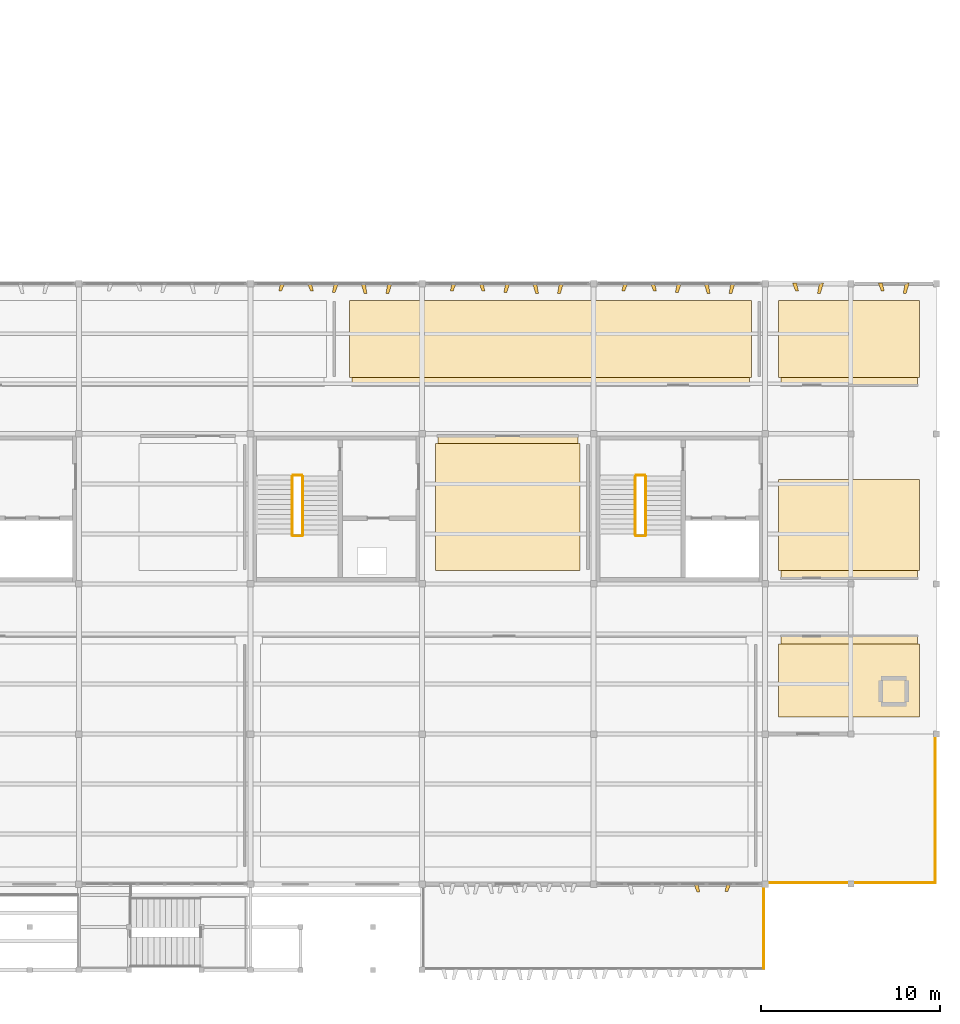
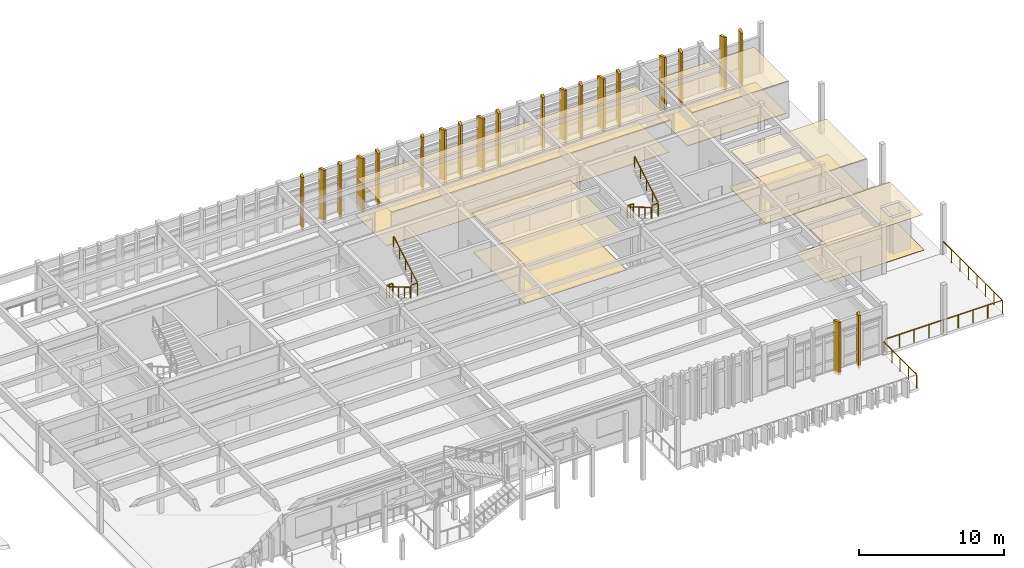
# One storey, part 18 of 18: 31 coverings, 11 railings.
"""IFC4 building model written with IfcOpenShell, lengths in metres."""

from ifc_helpers import new_model, si_unit, direction, frame, origin, origin_2d, place, context, subcontext, project, spatial, polyline, circle, outline, extrude, material, layer, layer_set, type_object, element, save


model = new_model("IFC4")

# Units and contexts
model_context = context("Model", 3, precision=1e-05, world=origin(), true_north=direction((0.0, 1.0)))
body_context = subcontext(model_context, "Body", "Model", "MODEL_VIEW")
ifc_project = project(units=[si_unit("LENGTHUNIT", "METRE"), si_unit("AREAUNIT", "SQUARE_METRE"), si_unit("VOLUMEUNIT", "CUBIC_METRE"), si_unit("PLANEANGLEUNIT", "RADIAN"), si_unit("MASSUNIT", "GRAM", prefix="KILO")], contexts=[model_context])

# Site, building, storey
site_placement = place(None, origin())
site = spatial("IfcSite", under=ifc_project, at=site_placement, CompositionType="ELEMENT")
building_placement = place(site_placement, origin())
building = spatial("IfcBuilding", under=site, at=building_placement, Name="Kolvemor Railside Polytechnic", CompositionType="ELEMENT")
storey_placement = place(building_placement, frame((0.0, 0.0, 18.60009765625)))
storey = spatial("IfcBuildingStorey", under=building, at=storey_placement, Name="L04", CompositionType="ELEMENT", Elevation=18.60009765625)

# Coverings
ifc_material_1 = material(Name="Perforated acoustic mineral-fibre and timber-slat ceiling", Category="wood")
ifc_layer_1 = layer(ifc_material_1, 0.02490234375, Name="COV-CEIL-1")
ifc_layer_set_1 = layer_set([ifc_layer_1], Name="Perforated acoustic mineral-fibre and timber-slat ceiling")
covering_type_1 = type_object("IfcCoveringType", Name="COV-CEIL-1", PredefinedType="CEILING", material=ifc_layer_set_1)
covering_1_placement = place(storey_placement, frame((0.0, 0.0, 3.02490234375)))
element("IfcCovering", 1, at=covering_1_placement, inside=storey, type_object=covering_type_1, Name="Renewable Desalination Research Laboratory Acoustic Ceiling", PredefinedType="CEILING", context=body_context, shape_type="SweptSolid", body=[
    extrude(outline(polyline([(96.8798828125, 22.35009765625), (104.719970703125, 22.35009765625), (104.719970703125, 29.8798828125), (96.8798828125, 29.8798828125), (96.8798828125, 22.35009765625)])), origin(), (0.0, 0.0, 1.0), 0.02490234375),
])
ifc_material_2 = material(Name="Perforated acoustic mineral-fibre and timber-slat ceiling", Category="wood")
ifc_layer_2 = layer(ifc_material_2, 0.030029296875, Name="COV-CEIL-2")
ifc_layer_set_2 = layer_set([ifc_layer_2], Name="Perforated acoustic mineral-fibre and timber-slat ceiling")
covering_type_2 = type_object("IfcCoveringType", Name="COV-CEIL-2", PredefinedType="CEILING", material=ifc_layer_set_2)
covering_2_placement = place(storey_placement, frame((0.0, 0.0, 3.02001953125)))
element("IfcCovering", 2, at=covering_2_placement, inside=storey, type_object=covering_type_2, Name="Main Stack Public WC L04 Acoustic Ceiling", PredefinedType="CEILING", context=body_context, shape_type="SweptSolid", body=[
    extrude(outline(polyline([(116.080078125, 14.14990234375), (123.719970703125, 14.14990234375), (123.719970703125, 18.679931640625), (116.080078125, 18.679931640625), (116.080078125, 14.14990234375)])), origin(), (0.0, 0.0, 1.0), 0.02978515625),
])
covering_3_placement = place(storey_placement, frame((0.0, 0.0, 3.02001953125)))
element("IfcCovering", 3, at=covering_3_placement, inside=storey, type_object=covering_type_2, Name="Capstone Interdisciplinary Design Studio Acoustic Ceiling", PredefinedType="CEILING", context=body_context, shape_type="SweptSolid", body=[
    extrude(outline(polyline([(92.080078125, 32.719970703125), (114.320068359375, 32.719970703125), (114.320068359375, 37.449951171875), (92.080078125, 37.449951171875), (92.080078125, 32.719970703125)])), origin(), (0.0, 0.0, 1.0), 0.02978515625),
])
ifc_material_3 = material(Name="Perforated acoustic mineral-fibre and timber-slat ceiling", Category="wood")
ifc_layer_3 = layer(ifc_material_3, 0.034912109375, Name="COV-CEIL-3")
ifc_layer_set_3 = layer_set([ifc_layer_3], Name="Perforated acoustic mineral-fibre and timber-slat ceiling")
covering_type_3 = type_object("IfcCoveringType", Name="COV-CEIL-3", PredefinedType="CEILING", material=ifc_layer_set_3)
covering_4_placement = place(storey_placement, frame((0.0, 0.0, 3.014892578125)))
element("IfcCovering", 4, at=covering_4_placement, inside=storey, type_object=covering_type_3, Name="Main Stack Accessible WC L04 Acoustic Ceiling", PredefinedType="CEILING", context=body_context, shape_type="SweptSolid", body=[
    extrude(outline(polyline([(116.080078125, 21.919921875), (123.719970703125, 21.919921875), (123.719970703125, 27.449951171875), (116.080078125, 27.449951171875), (116.080078125, 21.919921875)])), origin(), (0.0, 0.0, 1.0), 0.034912109375),
])
ifc_material_4 = material(Name="Perforated acoustic mineral-fibre and timber-slat ceiling", Category="wood")
ifc_layer_4 = layer(ifc_material_4, 0.0400390625, Name="COV-CEIL-4")
ifc_layer_set_4 = layer_set([ifc_layer_4], Name="Perforated acoustic mineral-fibre and timber-slat ceiling")
covering_type_4 = type_object("IfcCoveringType", Name="COV-CEIL-4", PredefinedType="CEILING", material=ifc_layer_set_4)
covering_5_placement = place(storey_placement, frame((0.0, 0.0, 3.010009765625)))
element("IfcCovering", 5, at=covering_5_placement, inside=storey, type_object=covering_type_4, Name="Faculty of Electrical and Computing Suite Acoustic Ceiling", PredefinedType="CEILING", context=body_context, shape_type="SweptSolid", body=[
    extrude(outline(polyline([(116.080078125, 32.719970703125), (123.719970703125, 32.719970703125), (123.719970703125, 37.449951171875), (116.080078125, 37.449951171875), (116.080078125, 32.719970703125)])), origin(), (0.0, 0.0, 1.0), 0.039794921875),
])
ifc_material_5 = material(Name="Sea-mist PVDF-anodised marine aluminium 5052-H32", Category="aluminium")
ifc_layer_5 = layer(ifc_material_5, 0.159912109375, Name="COV-FIN-MIST")
ifc_layer_set_5 = layer_set([ifc_layer_5], Name="Sea-mist PVDF-anodised marine aluminium 5052-H32")
covering_type_5 = type_object("IfcCoveringType", Name="COV-FIN-MIST", PredefinedType="CLADDING", material=ifc_layer_set_5)
covering_6_placement = place(storey_placement, frame((0.0, 0.0, -0.25)))
element("IfcCovering", 6, at=covering_6_placement, inside=storey, type_object=covering_type_5, Name="Pleated Solar Fin L04-0414", PredefinedType="CLADDING", context=body_context, shape_type="SweptSolid", body=[
    extrude(outline(polyline([(111.2099609375, 4.8349609375), (111.43994140625, 4.8349609375), (111.544921875, 4.361083984375), (111.385009765625, 4.361083984375), (111.2099609375, 4.8349609375)])), origin(), (0.0, 0.0, 1.0), 4.449951171875),
])
covering_7_placement = place(storey_placement, frame((0.0, 0.0, -0.25)))
element("IfcCovering", 7, at=covering_7_placement, inside=storey, type_object=covering_type_5, Name="Pleated Solar Fin L04-0415", PredefinedType="CLADDING", context=body_context, shape_type="SweptSolid", body=[
    extrude(outline(polyline([(113.06005859375, 4.8349609375), (113.2900390625, 4.8349609375), (113.114990234375, 4.39306640625), (112.955078125, 4.39306640625), (113.06005859375, 4.8349609375)])), origin(), (0.0, 0.0, 1.0), 4.449951171875),
])
covering_8_placement = place(storey_placement, frame((0.0, 0.0, -0.25)))
element("IfcCovering", 8, at=covering_8_placement, inside=storey, type_object=covering_type_5, Name="Pleated Solar Fin L04-0571", PredefinedType="CLADDING", context=body_context, shape_type="SweptSolid", body=[
    extrude(outline(polyline([(94.31494140625, 38.43505859375), (94.0849609375, 38.43505859375), (93.97998046875, 37.841064453125), (94.139892578125, 37.841064453125), (94.31494140625, 38.43505859375)])), origin(), (0.0, 0.0, 1.0), 4.449951171875),
])
covering_9_placement = place(storey_placement, frame((0.0, 0.0, -0.25)))
element("IfcCovering", 9, at=covering_9_placement, inside=storey, type_object=covering_type_5, Name="Pleated Solar Fin L04-0572", PredefinedType="CLADDING", context=body_context, shape_type="SweptSolid", body=[
    extrude(outline(polyline([(92.81494140625, 38.43505859375), (92.5849609375, 38.43505859375), (92.760009765625, 37.847900390625), (92.919921875, 37.847900390625), (92.81494140625, 38.43505859375)])), origin(), (0.0, 0.0, 1.0), 4.449951171875),
])
covering_10_placement = place(storey_placement, frame((0.0, 0.0, -0.25)))
element("IfcCovering", 10, at=covering_10_placement, inside=storey, type_object=covering_type_5, Name="Pleated Solar Fin L04-0573", PredefinedType="CLADDING", context=body_context, shape_type="SweptSolid", body=[
    extrude(outline(polyline([(91.31494140625, 38.43505859375), (91.0849609375, 38.43505859375), (90.97998046875, 37.9150390625), (91.139892578125, 37.9150390625), (91.31494140625, 38.43505859375)])), origin(), (0.0, 0.0, 1.0), 4.449951171875),
])
covering_11_placement = place(storey_placement, frame((0.0, 0.0, -0.25)))
element("IfcCovering", 11, at=covering_11_placement, inside=storey, type_object=covering_type_5, Name="Pleated Solar Fin L04-0574", PredefinedType="CLADDING", context=body_context, shape_type="SweptSolid", body=[
    extrude(outline(polyline([(89.81494140625, 38.43505859375), (89.5849609375, 38.43505859375), (89.760009765625, 37.98193359375), (89.919921875, 37.98193359375), (89.81494140625, 38.43505859375)])), origin(), (0.0, 0.0, 1.0), 4.449951171875),
])
covering_12_placement = place(storey_placement, frame((0.0, 0.0, -0.25)))
element("IfcCovering", 12, at=covering_12_placement, inside=storey, type_object=covering_type_5, Name="Pleated Solar Fin L04-0575", PredefinedType="CLADDING", context=body_context, shape_type="SweptSolid", body=[
    extrude(outline(polyline([(88.31494140625, 38.43505859375), (88.0849609375, 38.43505859375), (87.97998046875, 37.989013671875), (88.139892578125, 37.989013671875), (88.31494140625, 38.43505859375)])), origin(), (0.0, 0.0, 1.0), 4.449951171875),
])
covering_13_placement = place(storey_placement, frame((0.0, 0.0, -0.25)))
element("IfcCovering", 13, at=covering_13_placement, inside=storey, type_object=covering_type_5, Name="Pleated Solar Fin L04-0576", PredefinedType="CLADDING", context=body_context, shape_type="SweptSolid", body=[
    extrude(outline(polyline([(103.9150390625, 38.43505859375), (103.68505859375, 38.43505859375), (103.580078125, 37.841064453125), (103.739990234375, 37.841064453125), (103.9150390625, 38.43505859375)])), origin(), (0.0, 0.0, 1.0), 4.449951171875),
])
covering_14_placement = place(storey_placement, frame((0.0, 0.0, -0.25)))
element("IfcCovering", 14, at=covering_14_placement, inside=storey, type_object=covering_type_5, Name="Pleated Solar Fin L04-0577", PredefinedType="CLADDING", context=body_context, shape_type="SweptSolid", body=[
    extrude(outline(polyline([(102.4150390625, 38.43505859375), (102.18505859375, 38.43505859375), (102.360107421875, 37.847900390625), (102.52001953125, 37.847900390625), (102.4150390625, 38.43505859375)])), origin(), (0.0, 0.0, 1.0), 4.449951171875),
])
covering_15_placement = place(storey_placement, frame((0.0, 0.0, -0.25)))
element("IfcCovering", 15, at=covering_15_placement, inside=storey, type_object=covering_type_5, Name="Pleated Solar Fin L04-0578", PredefinedType="CLADDING", context=body_context, shape_type="SweptSolid", body=[
    extrude(outline(polyline([(100.9150390625, 38.43505859375), (100.68505859375, 38.43505859375), (100.580078125, 37.9150390625), (100.739990234375, 37.9150390625), (100.9150390625, 38.43505859375)])), origin(), (0.0, 0.0, 1.0), 4.449951171875),
])
covering_16_placement = place(storey_placement, frame((0.0, 0.0, -0.25)))
element("IfcCovering", 16, at=covering_16_placement, inside=storey, type_object=covering_type_5, Name="Pleated Solar Fin L04-0579", PredefinedType="CLADDING", context=body_context, shape_type="SweptSolid", body=[
    extrude(outline(polyline([(99.4150390625, 38.43505859375), (99.18505859375, 38.43505859375), (99.360107421875, 37.98193359375), (99.52001953125, 37.98193359375), (99.4150390625, 38.43505859375)])), origin(), (0.0, 0.0, 1.0), 4.449951171875),
])
covering_17_placement = place(storey_placement, frame((0.0, 0.0, -0.25)))
element("IfcCovering", 17, at=covering_17_placement, inside=storey, type_object=covering_type_5, Name="Pleated Solar Fin L04-0580", PredefinedType="CLADDING", context=body_context, shape_type="SweptSolid", body=[
    extrude(outline(polyline([(97.9150390625, 38.43505859375), (97.68505859375, 38.43505859375), (97.580078125, 37.989013671875), (97.739990234375, 37.989013671875), (97.9150390625, 38.43505859375)])), origin(), (0.0, 0.0, 1.0), 4.449951171875),
])
covering_18_placement = place(storey_placement, frame((0.0, 0.0, -0.25)))
element("IfcCovering", 18, at=covering_18_placement, inside=storey, type_object=covering_type_5, Name="Pleated Solar Fin L04-0581", PredefinedType="CLADDING", context=body_context, shape_type="SweptSolid", body=[
    extrude(outline(polyline([(113.514892578125, 38.43505859375), (113.284912109375, 38.43505859375), (113.179931640625, 37.841064453125), (113.340087890625, 37.841064453125), (113.514892578125, 38.43505859375)])), origin(), (0.0, 0.0, 1.0), 4.449951171875),
])
covering_19_placement = place(storey_placement, frame((0.0, 0.0, -0.25)))
element("IfcCovering", 19, at=covering_19_placement, inside=storey, type_object=covering_type_5, Name="Pleated Solar Fin L04-0582", PredefinedType="CLADDING", context=body_context, shape_type="SweptSolid", body=[
    extrude(outline(polyline([(112.014892578125, 38.43505859375), (111.784912109375, 38.43505859375), (111.9599609375, 37.847900390625), (112.1201171875, 37.847900390625), (112.014892578125, 38.43505859375)])), origin(), (0.0, 0.0, 1.0), 4.449951171875),
])
covering_20_placement = place(storey_placement, frame((0.0, 0.0, -0.25)))
element("IfcCovering", 20, at=covering_20_placement, inside=storey, type_object=covering_type_5, Name="Pleated Solar Fin L04-0583", PredefinedType="CLADDING", context=body_context, shape_type="SweptSolid", body=[
    extrude(outline(polyline([(110.514892578125, 38.43505859375), (110.284912109375, 38.43505859375), (110.179931640625, 37.9150390625), (110.340087890625, 37.9150390625), (110.514892578125, 38.43505859375)])), origin(), (0.0, 0.0, 1.0), 4.449951171875),
])
covering_21_placement = place(storey_placement, frame((0.0, 0.0, -0.25)))
element("IfcCovering", 21, at=covering_21_placement, inside=storey, type_object=covering_type_5, Name="Pleated Solar Fin L04-0584", PredefinedType="CLADDING", context=body_context, shape_type="SweptSolid", body=[
    extrude(outline(polyline([(109.014892578125, 38.43505859375), (108.784912109375, 38.43505859375), (108.9599609375, 37.98193359375), (109.1201171875, 37.98193359375), (109.014892578125, 38.43505859375)])), origin(), (0.0, 0.0, 1.0), 4.449951171875),
])
covering_22_placement = place(storey_placement, frame((0.0, 0.0, -0.25)))
element("IfcCovering", 22, at=covering_22_placement, inside=storey, type_object=covering_type_5, Name="Pleated Solar Fin L04-0585", PredefinedType="CLADDING", context=body_context, shape_type="SweptSolid", body=[
    extrude(outline(polyline([(107.514892578125, 38.43505859375), (107.284912109375, 38.43505859375), (107.179931640625, 37.989013671875), (107.340087890625, 37.989013671875), (107.514892578125, 38.43505859375)])), origin(), (0.0, 0.0, 1.0), 4.449951171875),
])
covering_23_placement = place(storey_placement, frame((0.0, 0.0, -0.25)))
element("IfcCovering", 23, at=covering_23_placement, inside=storey, type_object=covering_type_5, Name="Pleated Solar Fin L04-0586", PredefinedType="CLADDING", context=body_context, shape_type="SweptSolid", body=[
    extrude(outline(polyline([(118.465087890625, 38.43505859375), (118.235107421875, 38.43505859375), (118.1298828125, 37.847900390625), (118.2900390625, 37.847900390625), (118.465087890625, 38.43505859375)])), origin(), (0.0, 0.0, 1.0), 4.449951171875),
])
covering_24_placement = place(storey_placement, frame((0.0, 0.0, -0.25)))
element("IfcCovering", 24, at=covering_24_placement, inside=storey, type_object=covering_type_5, Name="Pleated Solar Fin L04-0587", PredefinedType="CLADDING", context=body_context, shape_type="SweptSolid", body=[
    extrude(outline(polyline([(116.965087890625, 38.43505859375), (116.735107421875, 38.43505859375), (116.909912109375, 37.98193359375), (117.070068359375, 37.98193359375), (116.965087890625, 38.43505859375)])), origin(), (0.0, 0.0, 1.0), 4.449951171875),
])
covering_25_placement = place(storey_placement, frame((0.0, 0.0, -0.25)))
element("IfcCovering", 25, at=covering_25_placement, inside=storey, type_object=covering_type_5, Name="Pleated Solar Fin L04-0588", PredefinedType="CLADDING", context=body_context, shape_type="SweptSolid", body=[
    extrude(outline(polyline([(123.264892578125, 38.43505859375), (123.034912109375, 38.43505859375), (122.929931640625, 37.847900390625), (123.090087890625, 37.847900390625), (123.264892578125, 38.43505859375)])), origin(), (0.0, 0.0, 1.0), 4.449951171875),
])
covering_26_placement = place(storey_placement, frame((0.0, 0.0, -0.25)))
element("IfcCovering", 26, at=covering_26_placement, inside=storey, type_object=covering_type_5, Name="Pleated Solar Fin L04-0589", PredefinedType="CLADDING", context=body_context, shape_type="SweptSolid", body=[
    extrude(outline(polyline([(121.764892578125, 38.43505859375), (121.534912109375, 38.43505859375), (121.7099609375, 37.98193359375), (121.8701171875, 37.98193359375), (121.764892578125, 38.43505859375)])), origin(), (0.0, 0.0, 1.0), 4.449951171875),
])
ifc_material_6 = material(Name="Polished coral-aggregate terrazzo and laboratory epoxy flooring")
ifc_layer_6 = layer(ifc_material_6, 0.02001953125, Name="COV-FLR-1")
ifc_layer_set_6 = layer_set([ifc_layer_6], Name="Polished coral-aggregate terrazzo and laboratory epoxy flooring")
covering_type_6 = type_object("IfcCoveringType", Name="COV-FLR-1", PredefinedType="FLOORING", material=ifc_layer_set_6)
covering_27_placement = place(storey_placement, origin())
element("IfcCovering", 27, at=covering_27_placement, inside=storey, type_object=covering_type_6, Name="Renewable Desalination Research Laboratory Floor Finish", PredefinedType="FLOORING", context=body_context, shape_type="SweptSolid", body=[
    extrude(outline(polyline([(96.75, 22.35009765625), (104.85009765625, 22.35009765625), (104.85009765625, 29.449951171875), (96.75, 29.449951171875), (96.75, 22.35009765625)])), origin(), (0.0, 0.0, 1.0), 0.02001953125),
])
ifc_material_7 = material(Name="Polished coral-aggregate terrazzo and laboratory epoxy flooring")
ifc_layer_7 = layer(ifc_material_7, 0.02490234375, Name="COV-FLR-2")
ifc_layer_set_7 = layer_set([ifc_layer_7], Name="Polished coral-aggregate terrazzo and laboratory epoxy flooring")
covering_type_7 = type_object("IfcCoveringType", Name="COV-FLR-2", PredefinedType="FLOORING", material=ifc_layer_set_7)
covering_28_placement = place(storey_placement, origin())
element("IfcCovering", 28, at=covering_28_placement, inside=storey, type_object=covering_type_7, Name="Main Stack Public WC L04 Floor Finish", PredefinedType="FLOORING", context=body_context, shape_type="SweptSolid", body=[
    extrude(outline(polyline([(115.949951171875, 14.14990234375), (123.85009765625, 14.14990234375), (123.85009765625, 18.25), (115.949951171875, 18.25), (115.949951171875, 14.14990234375)])), origin(), (0.0, 0.0, 1.0), 0.02490234375),
])
covering_29_placement = place(storey_placement, origin())
element("IfcCovering", 29, at=covering_29_placement, inside=storey, type_object=covering_type_7, Name="Capstone Interdisciplinary Design Studio Floor Finish", PredefinedType="FLOORING", context=body_context, shape_type="SweptSolid", body=[
    extrude(outline(polyline([(91.949951171875, 33.14990234375), (114.449951171875, 33.14990234375), (114.449951171875, 37.449951171875), (91.949951171875, 37.449951171875), (91.949951171875, 33.14990234375)])), origin(), (0.0, 0.0, 1.0), 0.02490234375),
])
ifc_material_8 = material(Name="Polished coral-aggregate terrazzo and laboratory epoxy flooring")
ifc_layer_8 = layer(ifc_material_8, 0.030029296875, Name="COV-FLR-3")
ifc_layer_set_8 = layer_set([ifc_layer_8], Name="Polished coral-aggregate terrazzo and laboratory epoxy flooring")
covering_type_8 = type_object("IfcCoveringType", Name="COV-FLR-3", PredefinedType="FLOORING", material=ifc_layer_set_8)
covering_30_placement = place(storey_placement, origin())
element("IfcCovering", 30, at=covering_30_placement, inside=storey, type_object=covering_type_8, Name="Main Stack Accessible WC L04 Floor Finish", PredefinedType="FLOORING", context=body_context, shape_type="SweptSolid", body=[
    extrude(outline(polyline([(115.949951171875, 22.35009765625), (123.85009765625, 22.35009765625), (123.85009765625, 27.449951171875), (115.949951171875, 27.449951171875), (115.949951171875, 22.35009765625)])), origin(), (0.0, 0.0, 1.0), 0.02978515625),
])
ifc_material_9 = material(Name="Polished coral-aggregate terrazzo and laboratory epoxy flooring")
ifc_layer_9 = layer(ifc_material_9, 0.034912109375, Name="COV-FLR-4")
ifc_layer_set_9 = layer_set([ifc_layer_9], Name="Polished coral-aggregate terrazzo and laboratory epoxy flooring")
covering_type_9 = type_object("IfcCoveringType", Name="COV-FLR-4", PredefinedType="FLOORING", material=ifc_layer_set_9)
covering_31_placement = place(storey_placement, origin())
element("IfcCovering", 31, at=covering_31_placement, inside=storey, type_object=covering_type_9, Name="Faculty of Electrical and Computing Suite Floor Finish", PredefinedType="FLOORING", context=body_context, shape_type="SweptSolid", body=[
    extrude(outline(polyline([(115.949951171875, 33.14990234375), (123.85009765625, 33.14990234375), (123.85009765625, 37.449951171875), (115.949951171875, 37.449951171875), (115.949951171875, 33.14990234375)])), origin(), (0.0, 0.0, 1.0), 0.034912109375),
])

# Railings
ifc_material_10 = material(Name="AISI 316 marine stainless-steel balustrade guard", Category="steel")
railing_type_1 = type_object("IfcRailingType", Name="RLG-GUARD-1120", PredefinedType="BALUSTRADE", material=ifc_material_10)
railing_1_placement = place(storey_placement, frame((115.340087890625, 4.8798828125, 0.0)))
element("IfcRailing", 32, at=railing_1_placement, inside=storey, type_object=railing_type_1, Name="Corner Study Terrace L04-SE S Guard GR-024", PredefinedType="BALUSTRADE", context=body_context, shape_type="SweptSolid", body=[
    extrude(circle(Radius=0.02392578125, at=origin_2d()), frame((0.054931640625, 0.0, 1.09619140625), z_axis=(1.0, 0.0, 0.0), x_axis=(0.0, 1.0, 0.0)), (0.0, 0.0, 1.0), 9.269775390625),
    extrude(circle(Radius=0.02099609375, at=origin_2d()), origin(), (0.0, 0.0, 1.0), 1.05712890625),
    extrude(circle(Radius=0.02099609375, at=origin_2d()), frame((1.17236328125, 0.0, 0.0)), (0.0, 0.0, 1.0), 1.05712890625),
    extrude(circle(Radius=0.02099609375, at=origin_2d()), frame((2.344970703125, 0.0, 0.0)), (0.0, 0.0, 1.0), 1.05712890625),
    extrude(circle(Radius=0.02099609375, at=origin_2d()), frame((3.517578125, 0.0, 0.0)), (0.0, 0.0, 1.0), 1.05712890625),
    extrude(circle(Radius=0.02099609375, at=origin_2d()), frame((4.68994140625, 0.0, 0.0)), (0.0, 0.0, 1.0), 1.05712890625),
    extrude(circle(Radius=0.02099609375, at=origin_2d()), frame((5.8623046875, 0.0, 0.0)), (0.0, 0.0, 1.0), 1.05712890625),
    extrude(circle(Radius=0.02099609375, at=origin_2d()), frame((7.034912109375, 0.0, 0.0)), (0.0, 0.0, 1.0), 1.05712890625),
    extrude(circle(Radius=0.02099609375, at=origin_2d()), frame((8.20751953125, 0.0, 0.0)), (0.0, 0.0, 1.0), 1.05712890625),
    extrude(circle(Radius=0.02099609375, at=origin_2d()), frame((9.3798828125, 0.0, 0.0)), (0.0, 0.0, 1.0), 1.05712890625),
])
railing_2_placement = place(storey_placement, frame((124.719970703125, 4.8798828125, 0.0)))
element("IfcRailing", 33, at=railing_2_placement, inside=storey, type_object=railing_type_1, Name="Corner Study Terrace L04-SE E Guard GR-025", PredefinedType="BALUSTRADE", context=body_context, shape_type="SweptSolid", body=[
    extrude(circle(Radius=0.02392578125, at=origin_2d()), frame((0.0, 0.054931640625, 1.09619140625), z_axis=(0.0, 1.0, 0.0), x_axis=(-1.0, 0.0, 0.0)), (0.0, 0.0, 1.0), 8.070068359375),
    extrude(circle(Radius=0.02099609375, at=origin_2d()), origin(), (0.0, 0.0, 1.0), 1.05712890625),
    extrude(circle(Radius=0.02099609375, at=origin_2d()), frame((0.0, 1.168701171875, 0.0)), (0.0, 0.0, 1.0), 1.05712890625),
    extrude(circle(Radius=0.02099609375, at=origin_2d()), frame((0.0, 2.337158203125, 0.0)), (0.0, 0.0, 1.0), 1.05712890625),
    extrude(circle(Radius=0.02099609375, at=origin_2d()), frame((0.0, 3.505859375, 0.0)), (0.0, 0.0, 1.0), 1.05712890625),
    extrude(circle(Radius=0.02099609375, at=origin_2d()), frame((0.0, 4.67431640625, 0.0)), (0.0, 0.0, 1.0), 1.05712890625),
    extrude(circle(Radius=0.02099609375, at=origin_2d()), frame((0.0, 5.843017578125, 0.0)), (0.0, 0.0, 1.0), 1.05712890625),
    extrude(circle(Radius=0.02099609375, at=origin_2d()), frame((0.0, 7.011474609375, 0.0)), (0.0, 0.0, 1.0), 1.05712890625),
    extrude(circle(Radius=0.02099609375, at=origin_2d()), frame((0.0, 8.18017578125, 0.0)), (0.0, 0.0, 1.0), 1.05712890625),
])
railing_3_placement = place(storey_placement, frame((115.1201171875, 0.080078125, 0.0)))
element("IfcRailing", 34, at=railing_3_placement, inside=storey, type_object=railing_type_1, Name="Shifted South-East Terrace L04 E Guard GR-027", PredefinedType="BALUSTRADE", context=body_context, shape_type="SweptSolid", body=[
    extrude(circle(Radius=0.02392578125, at=origin_2d()), frame((0.0, 0.054931640625, 1.09619140625), z_axis=(0.0, 1.0, 0.0), x_axis=(-1.0, 0.0, 0.0)), (0.0, 0.0, 1.0), 4.4697265625),
    extrude(circle(Radius=0.02099609375, at=origin_2d()), origin(), (0.0, 0.0, 1.0), 1.05712890625),
    extrude(circle(Radius=0.02099609375, at=origin_2d()), frame((0.0, 1.14501953125, 0.0)), (0.0, 0.0, 1.0), 1.05712890625),
    extrude(circle(Radius=0.02099609375, at=origin_2d()), frame((0.0, 2.2900390625, 0.0)), (0.0, 0.0, 1.0), 1.05712890625),
    extrude(circle(Radius=0.02099609375, at=origin_2d()), frame((0.0, 3.434814453125, 0.0)), (0.0, 0.0, 1.0), 1.05712890625),
    extrude(circle(Radius=0.02099609375, at=origin_2d()), frame((0.0, 4.579833984375, 0.0)), (0.0, 0.0, 1.0), 1.05712890625),
])
railing_4_placement = place(storey_placement, frame((107.97998046875, 27.679931640625, 0.0)))
element("IfcRailing", 35, at=railing_4_placement, inside=storey, type_object=railing_type_1, Name="ST-2 Floor Slot Guard L04", PredefinedType="BALUSTRADE", context=body_context, shape_type="SweptSolid", body=[
    extrude(circle(Radius=0.02392578125, at=origin_2d()), frame((0.054931640625, 0.0, 1.09619140625), z_axis=(1.0, 0.0, 0.0), x_axis=(0.0, 1.0, 0.0)), (0.0, 0.0, 1.0), 0.389892578125),
    extrude(circle(Radius=0.02099609375, at=origin_2d()), origin(), (0.0, 0.0, 1.0), 1.05712890625),
    extrude(circle(Radius=0.02099609375, at=origin_2d()), frame((0.25, 0.0, 0.0)), (0.0, 0.0, 1.0), 1.05712890625),
    extrude(circle(Radius=0.02099609375, at=origin_2d()), frame((0.5, 0.0, 0.0)), (0.0, 0.0, 1.0), 1.05712890625),
])
railing_5_placement = place(storey_placement, frame((107.97998046875, 24.280029296875, 2.099853515625)))
element("IfcRailing", 36, at=railing_5_placement, inside=storey, type_object=railing_type_1, Name="ST-2 Half-Landing Slot Guard L04", PredefinedType="BALUSTRADE", context=body_context, shape_type="SweptSolid", body=[
    extrude(circle(Radius=0.02392578125, at=origin_2d()), frame((0.054931640625, 0.0, 1.09619140625), z_axis=(1.0, 0.0, 0.0), x_axis=(0.0, 1.0, 0.0)), (0.0, 0.0, 1.0), 0.389892578125),
    extrude(circle(Radius=0.02099609375, at=origin_2d()), origin(), (0.0, 0.0, 1.0), 1.05712890625),
    extrude(circle(Radius=0.02099609375, at=origin_2d()), frame((0.5, 0.0, 0.0)), (0.0, 0.0, 1.0), 1.05712890625),
])
railing_6_placement = place(storey_placement, frame((88.780029296875, 27.679931640625, 0.0)))
element("IfcRailing", 37, at=railing_6_placement, inside=storey, type_object=railing_type_1, Name="ST-3 Floor Slot Guard L04", PredefinedType="BALUSTRADE", context=body_context, shape_type="SweptSolid", body=[
    extrude(circle(Radius=0.02392578125, at=origin_2d()), frame((0.054931640625, 0.0, 1.09619140625), z_axis=(1.0, 0.0, 0.0), x_axis=(0.0, 1.0, 0.0)), (0.0, 0.0, 1.0), 0.389892578125),
    extrude(circle(Radius=0.02099609375, at=origin_2d()), origin(), (0.0, 0.0, 1.0), 1.05712890625),
    extrude(circle(Radius=0.02099609375, at=origin_2d()), frame((0.25, 0.0, 0.0)), (0.0, 0.0, 1.0), 1.05712890625),
    extrude(circle(Radius=0.02099609375, at=origin_2d()), frame((0.5, 0.0, 0.0)), (0.0, 0.0, 1.0), 1.05712890625),
])
railing_7_placement = place(storey_placement, frame((88.780029296875, 24.280029296875, 2.099853515625)))
element("IfcRailing", 38, at=railing_7_placement, inside=storey, type_object=railing_type_1, Name="ST-3 Half-Landing Slot Guard L04", PredefinedType="BALUSTRADE", context=body_context, shape_type="SweptSolid", body=[
    extrude(circle(Radius=0.02392578125, at=origin_2d()), frame((0.054931640625, 0.0, 1.09619140625), z_axis=(1.0, 0.0, 0.0), x_axis=(0.0, 1.0, 0.0)), (0.0, 0.0, 1.0), 0.389892578125),
    extrude(circle(Radius=0.02099609375, at=origin_2d()), origin(), (0.0, 0.0, 1.0), 1.05712890625),
    extrude(circle(Radius=0.02099609375, at=origin_2d()), frame((0.5, 0.0, 0.0)), (0.0, 0.0, 1.0), 1.05712890625),
])
ifc_material_11 = material(Name="Brushed AISI 316 stainless-steel stair handrail", Category="steel")
railing_type_2 = type_object("IfcRailingType", Name="RLG-HANDRAIL-920", PredefinedType="HANDRAIL", material=ifc_material_11)
railing_8_placement = place(storey_placement, frame((107.93994140625, 27.6201171875, 0.161376953125)))
element("IfcRailing", 39, at=railing_8_placement, inside=storey, type_object=railing_type_2, Name="ST-2 Flight 1 Handrail L04", PredefinedType="HANDRAIL", context=body_context, shape_type="SweptSolid", body=[
    extrude(circle(Radius=0.02392578125, at=origin_2d()), frame((0.0, -0.04736328125, 0.923828125), z_axis=(0.0, -0.862245621732, 0.506490362991), x_axis=(1.0, 0.0, 0.0)), (0.0, 0.0, 1.0), 3.71728515625),
    extrude(circle(Radius=0.02099609375, at=origin_2d()), origin(), (0.0, 0.0, 1.0), 0.85693359375),
    extrude(circle(Radius=0.02099609375, at=origin_2d()), frame((0.0, -0.824951171875, 0.484619140625)), (0.0, 0.0, 1.0), 0.85693359375),
    extrude(circle(Radius=0.02099609375, at=origin_2d()), frame((0.0, -1.64990234375, 0.96923828125)), (0.0, 0.0, 1.0), 0.85693359375),
    extrude(circle(Radius=0.02099609375, at=origin_2d()), frame((0.0, -2.47509765625, 1.453857421875)), (0.0, 0.0, 1.0), 0.85693359375),
    extrude(circle(Radius=0.02099609375, at=origin_2d()), frame((0.0, -3.300048828125, 1.9384765625)), (0.0, 0.0, 1.0), 0.85693359375),
])
railing_9_placement = place(storey_placement, frame((108.52001953125, 24.320068359375, 2.261474609375)))
element("IfcRailing", 40, at=railing_9_placement, inside=storey, type_object=railing_type_2, Name="ST-2 Flight 2 Handrail L04", PredefinedType="HANDRAIL", context=body_context, shape_type="SweptSolid", body=[
    extrude(circle(Radius=0.02392578125, at=origin_2d()), frame((0.0, 0.04736328125, 0.923828125), z_axis=(0.0, 0.862245621732, 0.506490362991), x_axis=(-1.0, 0.0, 0.0)), (0.0, 0.0, 1.0), 3.71728515625),
    extrude(circle(Radius=0.02099609375, at=origin_2d()), origin(), (0.0, 0.0, 1.0), 0.85693359375),
    extrude(circle(Radius=0.02099609375, at=origin_2d()), frame((0.0, 0.824951171875, 0.484619140625)), (0.0, 0.0, 1.0), 0.85693359375),
    extrude(circle(Radius=0.02099609375, at=origin_2d()), frame((0.0, 1.64990234375, 0.96923828125)), (0.0, 0.0, 1.0), 0.85693359375),
    extrude(circle(Radius=0.02099609375, at=origin_2d()), frame((0.0, 2.47509765625, 1.453857421875)), (0.0, 0.0, 1.0), 0.85693359375),
    extrude(circle(Radius=0.02099609375, at=origin_2d()), frame((0.0, 3.300048828125, 1.9384765625)), (0.0, 0.0, 1.0), 0.85693359375),
])
railing_10_placement = place(storey_placement, frame((88.739990234375, 27.6201171875, 0.161376953125)))
element("IfcRailing", 41, at=railing_10_placement, inside=storey, type_object=railing_type_2, Name="ST-3 Flight 1 Handrail L04", PredefinedType="HANDRAIL", context=body_context, shape_type="SweptSolid", body=[
    extrude(circle(Radius=0.02392578125, at=origin_2d()), frame((0.0, -0.04736328125, 0.923828125), z_axis=(0.0, -0.862245621732, 0.506490362991), x_axis=(1.0, 0.0, 0.0)), (0.0, 0.0, 1.0), 3.71728515625),
    extrude(circle(Radius=0.02099609375, at=origin_2d()), origin(), (0.0, 0.0, 1.0), 0.85693359375),
    extrude(circle(Radius=0.02099609375, at=origin_2d()), frame((0.0, -0.824951171875, 0.484619140625)), (0.0, 0.0, 1.0), 0.85693359375),
    extrude(circle(Radius=0.02099609375, at=origin_2d()), frame((0.0, -1.64990234375, 0.96923828125)), (0.0, 0.0, 1.0), 0.85693359375),
    extrude(circle(Radius=0.02099609375, at=origin_2d()), frame((0.0, -2.47509765625, 1.453857421875)), (0.0, 0.0, 1.0), 0.85693359375),
    extrude(circle(Radius=0.02099609375, at=origin_2d()), frame((0.0, -3.300048828125, 1.9384765625)), (0.0, 0.0, 1.0), 0.85693359375),
])
railing_11_placement = place(storey_placement, frame((89.320068359375, 24.320068359375, 2.261474609375)))
element("IfcRailing", 42, at=railing_11_placement, inside=storey, type_object=railing_type_2, Name="ST-3 Flight 2 Handrail L04", PredefinedType="HANDRAIL", context=body_context, shape_type="SweptSolid", body=[
    extrude(circle(Radius=0.02392578125, at=origin_2d()), frame((0.0, 0.04736328125, 0.923828125), z_axis=(0.0, 0.862245621732, 0.506490362991), x_axis=(-1.0, 0.0, 0.0)), (0.0, 0.0, 1.0), 3.71728515625),
    extrude(circle(Radius=0.02099609375, at=origin_2d()), origin(), (0.0, 0.0, 1.0), 0.85693359375),
    extrude(circle(Radius=0.02099609375, at=origin_2d()), frame((0.0, 0.824951171875, 0.484619140625)), (0.0, 0.0, 1.0), 0.85693359375),
    extrude(circle(Radius=0.02099609375, at=origin_2d()), frame((0.0, 1.64990234375, 0.96923828125)), (0.0, 0.0, 1.0), 0.85693359375),
    extrude(circle(Radius=0.02099609375, at=origin_2d()), frame((0.0, 2.47509765625, 1.453857421875)), (0.0, 0.0, 1.0), 0.85693359375),
    extrude(circle(Radius=0.02099609375, at=origin_2d()), frame((0.0, 3.300048828125, 1.9384765625)), (0.0, 0.0, 1.0), 0.85693359375),
])

save(model, "model.ifc")
